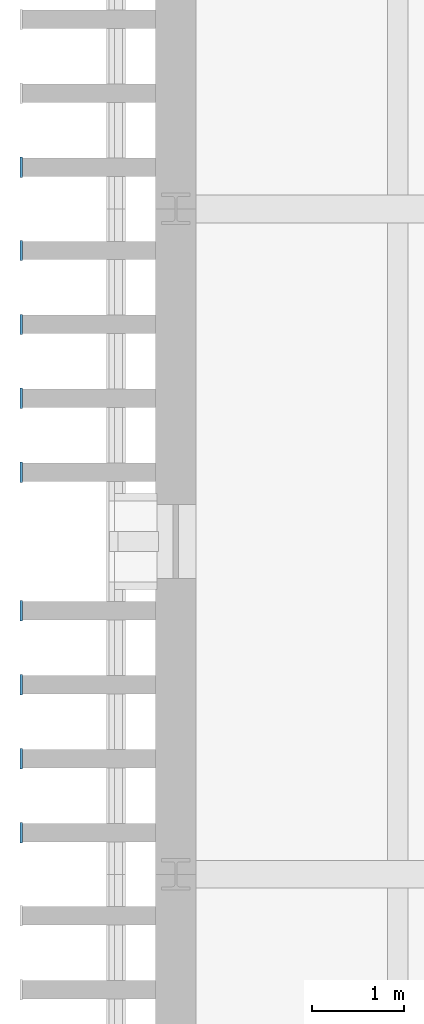
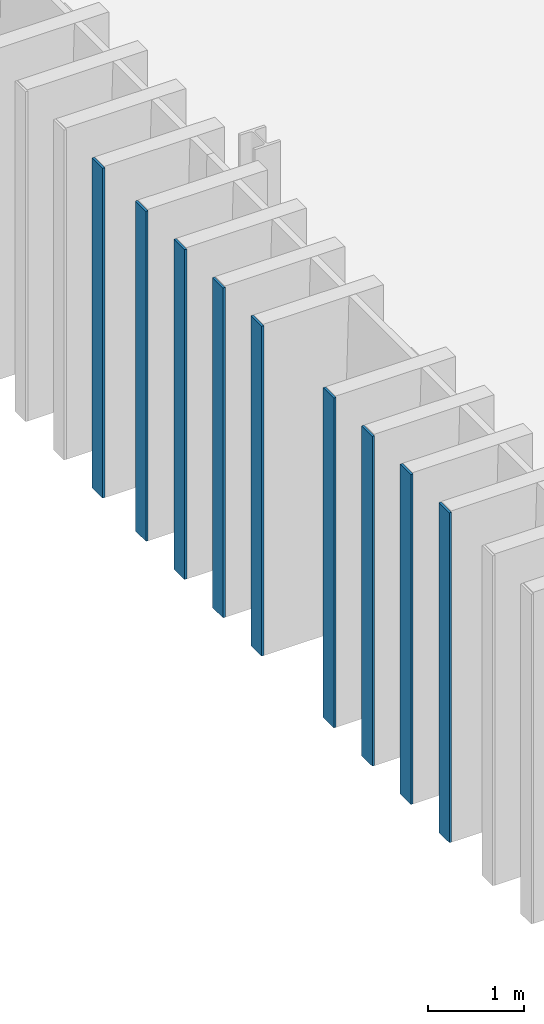
# One storey, part 51 of 115: 9 plates.
"""IFC4 building model written with IfcOpenShell, lengths in metres."""

from ifc_helpers import new_model, si_unit, direction, frame, origin, origin_2d, place, context, subcontext, project, spatial, rectangle, extrude, material, layer, layer_set, type_object, element, save


model = new_model("IFC4")

# Units and contexts
model_context = context("Model", 3, precision=1e-05, world=origin(), true_north=direction((0.0, 1.0)))
body_context = subcontext(model_context, "Body", "Model", "MODEL_VIEW")
ifc_project = project(units=[si_unit("LENGTHUNIT", "METRE"), si_unit("AREAUNIT", "SQUARE_METRE"), si_unit("VOLUMEUNIT", "CUBIC_METRE"), si_unit("PLANEANGLEUNIT", "RADIAN"), si_unit("MASSUNIT", "GRAM", prefix="KILO")], contexts=[model_context])

# Site, building, storey
site_placement = place(None, origin())
site = spatial("IfcSite", under=ifc_project, at=site_placement, CompositionType="ELEMENT")
building_placement = place(site_placement, origin())
building = spatial("IfcBuilding", under=site, at=building_placement, Name="Narikvali Park Central Library", CompositionType="ELEMENT")
storey_placement = place(building_placement, frame((0.0, 0.0, 10.199951171875)))
storey = spatial("IfcBuildingStorey", under=building, at=storey_placement, Name="L02", CompositionType="ELEMENT", Elevation=10.199951171875)

# Plates
ifc_material = material(Name="Anodised Bronze Aluminium", Category="aluminium")
ifc_layer = layer(ifc_material, 0.028076171875, Name="Anodised Bronze Aluminium")
ifc_layer_set = layer_set([ifc_layer], Name="Anodised Bronze Aluminium")
plate_type = type_object("IfcPlateType", Name="Vertical Brick Fin Bronze Bullnose Cap 28", PredefinedType="SHEET", material=ifc_layer_set)
for number, where, z_axis, x_axis, name in (
    (1, (-1.672119140625, 79.64990234375, 0.01025390625), (0.0, 0.0, 1.0), (1.0, 0.0, 0.0), "West Stacks Fin Bullnose Trim 315"),
    (2, (-1.672119140625, 80.449951171875, 0.01025390625), (0.0, 0.0, 1.0), (1.0, 0.0, 0.0), "West Stacks Fin Bullnose Trim 321"),
    (3, (-1.672119140625, 81.25, 0.01025390625), (0.0, 0.0, 1.0), (1.0, 0.0, 0.0), "West Stacks Fin Bullnose Trim 327"),
    (4, (-1.672119140625, 82.050048828125, 0.01025390625), (0.0, 0.0, 1.0), (1.0, 0.0, 0.0), "West Stacks Fin Bullnose Trim 333"),
    (5, (-1.672119140625, 83.550048828125, 0.01025390625), (0.0, 0.0, 1.0), (1.0, 0.0, 0.0), "West Stacks Fin Bullnose Trim 339"),
    (6, (-1.672119140625, 84.35009765625, 0.01025390625), (0.0, 0.0, 1.0), (1.0, 0.0, 0.0), "West Stacks Fin Bullnose Trim 345"),
    (7, (-1.672119140625, 85.14990234375, 0.01025390625), (0.0, 0.0, 1.0), (1.0, 0.0, 0.0), "West Stacks Fin Bullnose Trim 351"),
    (8, (-1.672119140625, 85.949951171875, 0.01025390625), (0.0, 0.0, 1.0), (1.0, 0.0, 0.0), "West Stacks Fin Bullnose Trim 357"),
    (9, (-1.672119140625, 86.85009765625, 0.01025390625), (0.0, 0.0, 1.0), (1.0, 0.0, 0.0), "West Stacks Fin Bullnose Trim 363"),
):
    element("IfcPlate", number, at=place(storey_placement, frame(where, z_axis=z_axis, x_axis=x_axis)), inside=storey, type_object=plate_type, Name=name, PredefinedType="SHEET", context=body_context, shape_type="SweptSolid", body=[
        extrude(rectangle(XDim=0.028076171875, YDim=0.219970703125, at=origin_2d()), origin(), (0.0, 0.0, 1.0), 4.179931640625),
    ])

save(model, "model.ifc")
